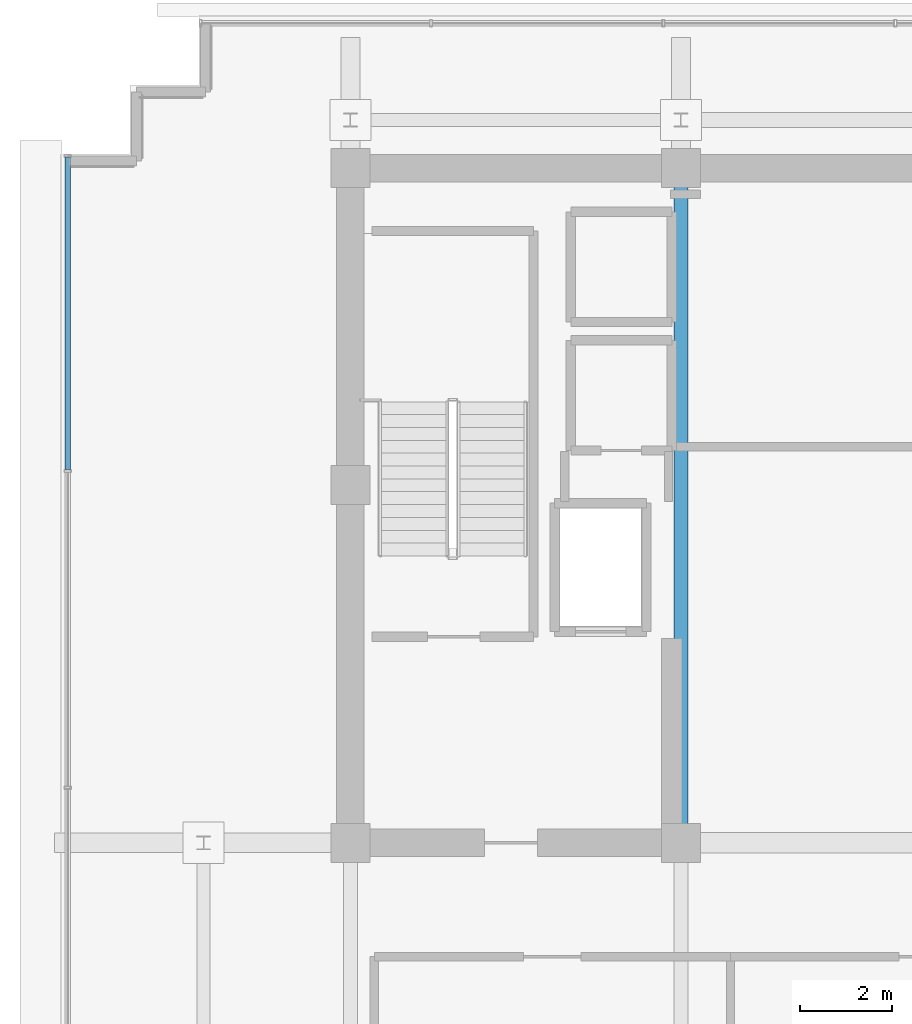
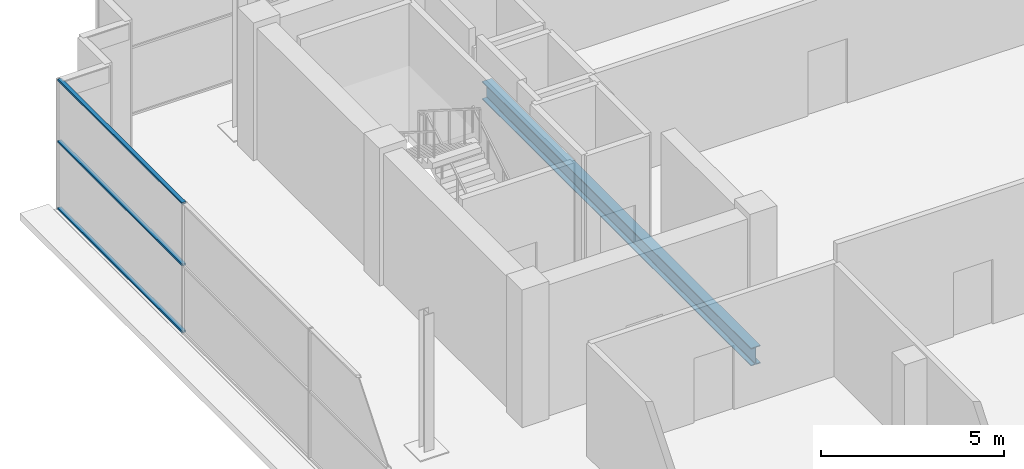
# One storey, part 12 of 28: 3 members, 1 beam, 1 element without a shape of its own.
"""IFC4 building model written with IfcOpenShell, lengths in metres."""

from ifc_helpers import new_model, si_unit, direction, frame, origin, origin_2d, place, context, subcontext, project, spatial, hollow_rectangle, i_section, extrude, source, transform, mapped, material, layer, layer_set, material_profile, profile_set, type_object, element, aggregate, save


model = new_model("IFC4")

# Units and contexts
model_context = context("Model", 3, precision=1e-05, world=origin(), true_north=direction((0.0, 1.0)))
body_context = subcontext(model_context, "Body", "Model", "MODEL_VIEW")
ifc_project = project(units=[si_unit("LENGTHUNIT", "METRE"), si_unit("AREAUNIT", "SQUARE_METRE"), si_unit("VOLUMEUNIT", "CUBIC_METRE"), si_unit("PLANEANGLEUNIT", "RADIAN"), si_unit("MASSUNIT", "GRAM", prefix="KILO")], contexts=[model_context])

# Site, building, storey
site_placement = place(None, origin())
site = spatial("IfcSite", under=ifc_project, at=site_placement, CompositionType="ELEMENT")
building_placement = place(site_placement, origin())
building = spatial("IfcBuilding", under=site, at=building_placement, Name="Zarnakvel Exchange Tower", CompositionType="ELEMENT")
storey_placement = place(building_placement, frame((0.0, 0.0, 271.60009765625)))
storey = spatial("IfcBuildingStorey", under=building, at=storey_placement, Name="Crown L77", CompositionType="ELEMENT", Elevation=271.60009765625)

# Beam
ifc_material_1 = material(Name="Steel S355", Category="steel")
ifc_material_profile_1 = material_profile(ifc_material_1, i_section(OverallWidth=0.300048828125, OverallDepth=0.60009765625, WebThickness=0.015380859375, FlangeThickness=0.030029296875, FilletRadius=0.027099609375, at=origin_2d()))
ifc_profile_set_1 = profile_set([ifc_material_profile_1], Name="Steel S355")
beam_type = type_object("IfcBeamType", Name="G-04", PredefinedType="BEAM", material=ifc_profile_set_1)
beam_placement = place(storey_placement, frame((-7.199951171875, -1.199951171875, -0.52001953125), z_axis=(0.0, 1.0, 0.0), x_axis=(-1.0, 0.0, 0.0)))
element("IfcBeam", 1, at=beam_placement, inside=storey, type_object=beam_type, Name="Crown L77 Tower N-S Frame Beam", PredefinedType="BEAM", context=body_context, shape_type="SweptSolid", body=[
    extrude(i_section(OverallWidth=0.300048828125, OverallDepth=0.60009765625, WebThickness=0.015380859375, FlangeThickness=0.030029296875, FilletRadius=0.027099609375, at=origin_2d()), origin(), (0.0, 0.0, 1.0), 14.699951171875),
])

# Curtain wall, members
ifc_material_2 = material(Name="Architectural Bronze Anodised Aluminium", Category="aluminium")
ifc_layer = layer(ifc_material_2, 0.14990234375)
ifc_layer_set = layer_set([ifc_layer], Name="Architectural Bronze Anodised Aluminium")
curtain_wall_type = type_object("IfcCurtainWallType", Name="CW-07", PredefinedType="NOTDEFINED", material=ifc_layer_set)
curtain_wall_placement = place(storey_placement, origin())
curtain_wall = element("IfcCurtainWall", 2, at=curtain_wall_placement, inside=storey, type_object=curtain_wall_type, Name="Crown L77 Curtain Wall CW-Crown L77-W (CW-07)", PredefinedType="NOTDEFINED")
ifc_material_profile_2 = material_profile(ifc_material_2, hollow_rectangle(XDim=0.1201171875, YDim=0.06005859375, WallThickness=0.00390625, at=origin_2d()))
ifc_profile_set_2 = profile_set([ifc_material_profile_2], Name="Architectural Bronze Anodised Aluminium")
member_type = type_object("IfcMemberType", Name="CWT-07", PredefinedType="USERDEFINED", material=ifc_profile_set_2)
shared_shape = source(origin(), body_context, "Body", "SweptSolid", [
    extrude(hollow_rectangle(XDim=0.1201171875, YDim=0.06005859375, WallThickness=0.00390625, at=origin_2d()), origin(), (0.0, 0.0, 1.0), 6.81005859375),
])
member_1_placement = place(storey_placement, frame((-20.56005859375, 6.929931640625, 0.02978515625), z_axis=(0.0, 1.0, 0.0), x_axis=(-1.0, 0.0, 0.0)))
member_1 = element("IfcMember", 3, at=member_1_placement, type_object=member_type, Name="CW-07 transom 4.1", ObjectType="TRANSOM", PredefinedType="USERDEFINED", context=body_context, shape_type="MappedRepresentation", body=[
    mapped(shared_shape, transform((0.0, 0.0, 0.0), x_axis=(1.0, 0.0, 0.0), y_axis=(0.0, 1.0, 0.0), z_axis=(0.0, 0.0, 1.0), scale=1.0)),
])
member_2_placement = place(storey_placement, frame((-20.56005859375, 6.929931640625, 2.26708984375), z_axis=(0.0, 1.0, 0.0), x_axis=(-1.0, 0.0, 0.0)))
member_2 = element("IfcMember", 4, at=member_2_placement, type_object=member_type, Name="CW-07 transom 4.2", ObjectType="TRANSOM", PredefinedType="USERDEFINED", context=body_context, shape_type="MappedRepresentation", body=[
    mapped(shared_shape, transform((0.0, 0.0, 0.0), x_axis=(1.0, 0.0, 0.0), y_axis=(0.0, 1.0, 0.0), z_axis=(0.0, 0.0, 1.0), scale=1.0)),
])
member_3_placement = place(storey_placement, frame((-20.56005859375, 6.929931640625, 4.329833984375), z_axis=(0.0, 1.0, 0.0), x_axis=(-1.0, 0.0, 0.0)))
member_3 = element("IfcMember", 5, at=member_3_placement, type_object=member_type, Name="CW-07 transom 4.3", ObjectType="TRANSOM", PredefinedType="USERDEFINED", context=body_context, shape_type="MappedRepresentation", body=[
    mapped(shared_shape, transform((0.0, 0.0, 0.0), x_axis=(1.0, 0.0, 0.0), y_axis=(0.0, 1.0, 0.0), z_axis=(0.0, 0.0, 1.0), scale=1.0)),
])
aggregate(curtain_wall, [member_1, member_2, member_3])

save(model, "model.ifc")
